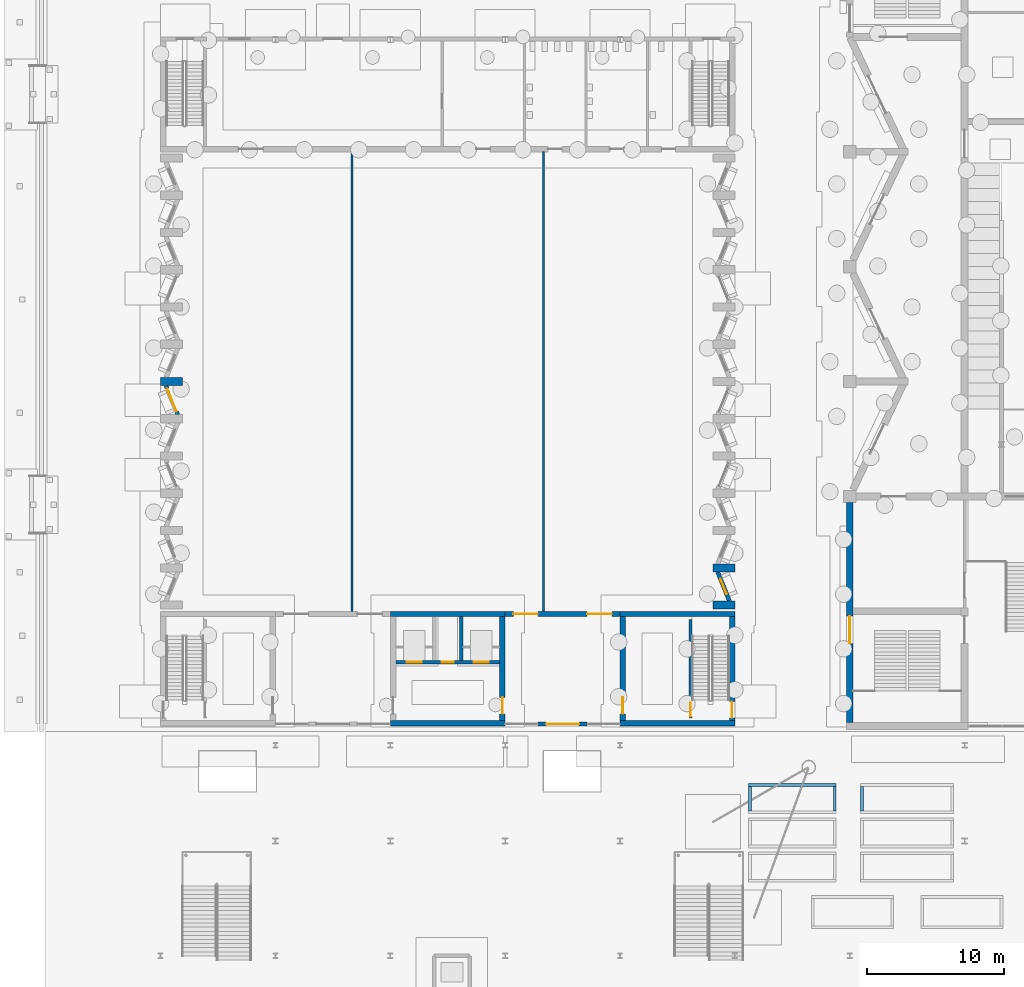
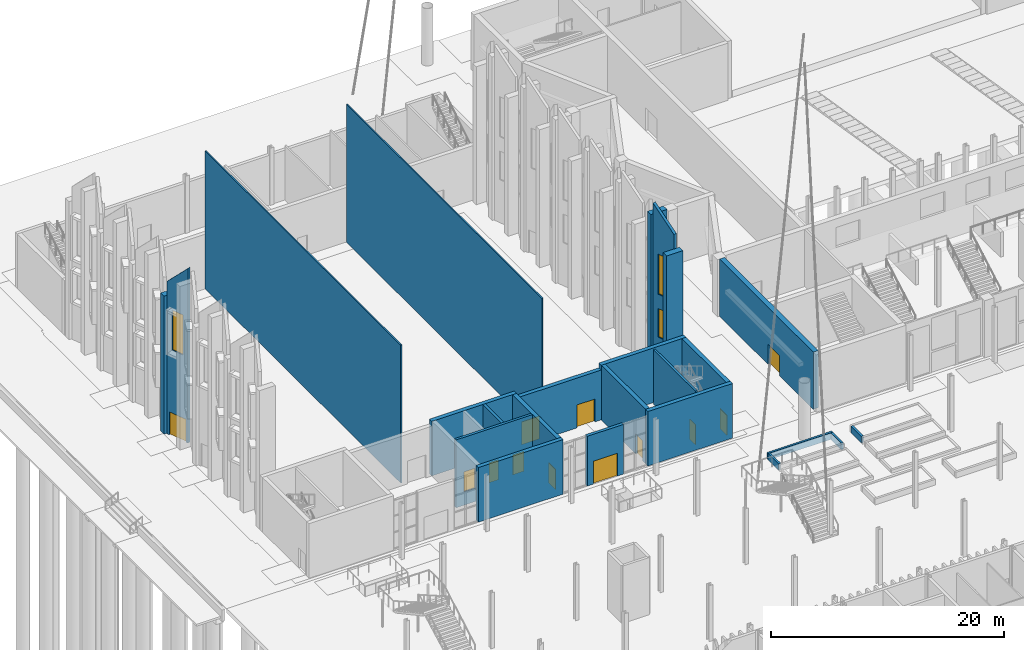
# One storey, part 62 of 108: 24 walls, 12 doors, 3 windows, 15 openings.
"""IFC4 building model written with IfcOpenShell, lengths in metres."""

from ifc_helpers import new_model, si_unit, direction, frame, frame_2d, origin, place, context, subcontext, project, spatial, polyline, rectangle, outline, extrude, material, layer, layer_set, type_object, element, fill, save


model = new_model("IFC4")

# Units and contexts
model_context = context("Model", 3, precision=1e-05, world=origin(), true_north=direction((0.0, 1.0)))
body_context = subcontext(model_context, "Body", "Model", "MODEL_VIEW")
ifc_project = project(units=[si_unit("LENGTHUNIT", "METRE"), si_unit("AREAUNIT", "SQUARE_METRE"), si_unit("VOLUMEUNIT", "CUBIC_METRE"), si_unit("PLANEANGLEUNIT", "RADIAN"), si_unit("MASSUNIT", "GRAM", prefix="KILO")], contexts=[model_context])

# Site, building, storey
site_placement = place(None, origin())
site = spatial("IfcSite", under=ifc_project, at=site_placement, CompositionType="ELEMENT")
building_placement = place(site_placement, origin())
building = spatial("IfcBuilding", under=site, at=building_placement, Name="Cresset Court Congress Hotel", CompositionType="ELEMENT")
storey_placement = place(building_placement, origin())
storey = spatial("IfcBuildingStorey", under=building, at=storey_placement, Name="L00", CompositionType="ELEMENT", Elevation=0.0)

# Wall, opening, door
ifc_material_1 = material(Name="Limestone-faced precast concrete C50", Category="masonry")
ifc_layer_1 = layer(ifc_material_1, 0.5)
ifc_layer_set_1 = layer_set([ifc_layer_1], Name="Hall perimeter wall 500")
wall_type_1 = type_object("IfcWallType", Name="Hall perimeter wall 500", PredefinedType="SOLIDWALL", material=ifc_layer_set_1)
wall_1_placement = place(storey_placement, frame((58.800048828125, 59.050048828125, 0.0), z_axis=(0.0, 0.0, 1.0), x_axis=(0.0, 1.0, 0.0)))
wall_1 = element("IfcWall", 1, at=wall_1_placement, inside=storey, type_object=wall_type_1, Name="Wall CW-WL00-5", PredefinedType="SOLIDWALL", context=body_context, shape_type="SweptSolid", body=[
    extrude(rectangle(XDim=16.099853515625, YDim=0.5, at=frame_2d((8.0498046875, 0.0))), origin(), (0.0, 0.0, 1.0), 6.0),
])
opening_1_placement = place(wall_1_placement, frame((5.800048828125, 0.0, 0.0)))
opening_1 = element("IfcOpeningElement", 2, at=opening_1_placement, cuts=wall_1, Name="Opening DC-00-10A", PredefinedType="OPENING", context=body_context, shape_type="SweptSolid", body=[
    extrude(rectangle(XDim=2.0, YDim=2.10009765625, at=frame_2d((1.0, 1.050048828125))), frame((0.0, 0.260009765625, 0.0), z_axis=(0.0, -1.0, 0.0), x_axis=(1.0, 0.0, 0.0)), (0.0, 0.0, 1.0), 0.52001953125),
])
ifc_material_2 = material(Name="Timber", Category="wood")
door_type_1 = type_object("IfcDoorType", Name="Double swing door 2000x2100 FD60 external", OperationType="DOUBLE_DOOR_DOUBLE_SWING", PredefinedType="DOOR", material=ifc_material_2)
door_1_placement = place(opening_1_placement, origin())
door_1 = element("IfcDoor", 3, at=door_1_placement, inside=storey, type_object=door_type_1, Name="Stair exit door ST-C1", OperationType="DOUBLE_DOOR_DOUBLE_SWING", OverallHeight=2.10009765625, OverallWidth=2.0, PredefinedType="DOOR", context=body_context, shape_type="SweptSolid", body=[
    extrude(rectangle(XDim=2.0, YDim=2.10009765625, at=frame_2d((1.0, 1.050048828125))), frame((0.0, 0.02490234375, 0.0), z_axis=(0.0, -1.0, 0.0), x_axis=(1.0, 0.0, 0.0)), (0.0, 0.0, 1.0), 0.050048828125),
])
fill(opening_1, door_1)

# Walls
ifc_material_3 = material(Name="Acoustic panels in aluminium frame", Category="aluminium")
ifc_layer_2 = layer(ifc_material_3, 0.1201171875)
ifc_layer_set_2 = layer_set([ifc_layer_2], Name="Operable partition 120")
wall_type_2 = type_object("IfcWallType", Name="Operable partition 120", PredefinedType="MOVABLE", material=ifc_layer_set_2)
for number, where, z_axis, x_axis, name in (
    (4, (22.39990234375, 67.199951171875, 0.0), (0.0, 0.0, 1.0), (0.0, 1.0, 0.0), "Operable partition 1"),
    (5, (36.39990234375, 67.199951171875, 0.0), (0.0, 0.0, 1.0), (0.0, 1.0, 0.0), "Operable partition 2"),
):
    element("IfcWall", number, at=place(storey_placement, frame(where, z_axis=z_axis, x_axis=x_axis)), inside=storey, type_object=wall_type_2, Name=name, PredefinedType="MOVABLE", context=body_context, shape_type="SweptSolid", body=[
        extrude(rectangle(XDim=33.60009765625, YDim=0.1201171875, at=frame_2d((16.800048828125, 0.0))), origin(), (0.0, 0.0, 1.0), 14.466796875),
    ])
ifc_material_4 = material(Name="Concrete C35", Category="concrete")
ifc_layer_3 = layer(ifc_material_4, 0.199951171875)
ifc_layer_set_3 = layer_set([ifc_layer_3], Name="Planter wall 200")
wall_type_3 = type_object("IfcWallType", Name="Planter wall 200", PredefinedType="SOLIDWALL", material=ifc_layer_set_3)
wall_2_placement = place(storey_placement, frame((51.39990234375, 54.5, 0.0), z_axis=(0.0, 0.0, 1.0), x_axis=(1.0, 0.0, 0.0)))
element("IfcWall", 6, at=wall_2_placement, inside=storey, type_object=wall_type_3, Name="Terrace planter wall 03", PredefinedType="SOLIDWALL", context=body_context, shape_type="SweptSolid", body=[
    extrude(rectangle(XDim=6.400146484375, YDim=0.199951171875, at=frame_2d((3.2001953125, 0.0))), origin(), (0.0, 0.0, 1.0), 0.699951171875),
])
for number, where, z_axis, x_axis, name in (
    (7, (51.5, 52.60009765625, 0.0), (0.0, 0.0, 1.0), (0.0, 1.0, 0.0), "Terrace planter wall 03"),
    (8, (57.699951171875, 52.60009765625, 0.0), (0.0, 0.0, 1.0), (0.0, 1.0, 0.0), "Terrace planter wall 03"),
    (9, (59.699951171875, 52.60009765625, 0.0), (0.0, 0.0, 1.0), (0.0, 1.0, 0.0), "Terrace planter wall 06"),
):
    element("IfcWall", number, at=place(storey_placement, frame(where, z_axis=z_axis, x_axis=x_axis)), inside=storey, type_object=wall_type_3, Name=name, PredefinedType="SOLIDWALL", context=body_context, shape_type="SweptSolid", body=[
        extrude(rectangle(XDim=1.7998046875, YDim=0.199951171875, at=frame_2d((0.89990234375, 0.0))), origin(), (0.0, 0.0, 1.0), 0.699951171875),
    ])

# Wall, opening, door
ifc_material_5 = material(Name="Precast concrete C50", Category="concrete")
ifc_layer_4 = layer(ifc_material_5, 0.300048828125)
ifc_layer_set_4 = layer_set([ifc_layer_4], Name="Precast external wall 300 C50")
wall_type_4 = type_object("IfcWallType", Name="Precast external wall 300 C50", PredefinedType="SOLIDWALL", material=ifc_layer_set_4)
wall_3_placement = place(storey_placement, frame((36.0, 58.949951171875, 0.0), z_axis=(0.0, 0.0, 1.0), x_axis=(1.0, 0.0, 0.0)))
wall_3 = element("IfcWall", 10, at=wall_3_placement, inside=storey, type_object=wall_type_4, Name="Foyer entrance wall L00 E", PredefinedType="SOLIDWALL", context=body_context, shape_type="SweptSolid", body=[
    extrude(rectangle(XDim=3.60009765625, YDim=0.300048828125, at=frame_2d((1.800048828125, 0.0))), origin(), (0.0, 0.0, 1.0), 5.219970703125),
])
opening_2_placement = place(wall_3_placement, frame((0.60009765625, 0.0, 0.0)))
opening_2 = element("IfcOpeningElement", 11, at=opening_2_placement, cuts=wall_3, Name="Opening DD-00-02", PredefinedType="OPENING", context=body_context, shape_type="SweptSolid", body=[
    extrude(rectangle(XDim=2.39990234375, YDim=2.39990234375, at=frame_2d((1.199951171875, 1.199951171875))), frame((0.0, 0.159912109375, 0.0), z_axis=(0.0, -1.0, 0.0), x_axis=(1.0, 0.0, 0.0)), (0.0, 0.0, 1.0), 0.320068359375),
])
ifc_material_6 = material(Name="Timber door leaf", Category="wood")
door_type_2 = type_object("IfcDoorType", Name="Entrance double door 2400x2400", OperationType="DOUBLE_DOOR_SINGLE_SWING", PredefinedType="DOOR", material=ifc_material_6)
door_2_placement = place(opening_2_placement, origin())
door_2 = element("IfcDoor", 12, at=door_2_placement, inside=storey, type_object=door_type_2, Name="Entrance double door DD-00-02", OperationType="DOUBLE_DOOR_SINGLE_SWING", OverallHeight=2.39990234375, OverallWidth=2.39990234375, PredefinedType="DOOR", context=body_context, shape_type="SweptSolid", body=[
    extrude(rectangle(XDim=2.39990234375, YDim=2.39990234375, at=frame_2d((1.199951171875, 1.199951171875))), frame((0.0, 0.02490234375, 0.0), z_axis=(0.0, -1.0, 0.0), x_axis=(1.0, 0.0, 0.0)), (0.0, 0.0, 1.0), 0.050048828125),
])
fill(opening_2, door_2)

# Wall, openings, door, window
ifc_material_7 = material(Name="Limestone-faced precast concrete C50", Category="masonry")
ifc_layer_5 = layer(ifc_material_7, 0.300048828125)
ifc_layer_set_5 = layer_set([ifc_layer_5], Name="Precast folded wall panel 300 C50")
wall_type_5 = type_object("IfcWallType", Name="Precast folded wall panel 300 C50", PredefinedType="SOLIDWALL", material=ifc_layer_set_5)
wall_4_placement = place(storey_placement, frame((9.65869140625, 81.574951171875, 0.0), z_axis=(0.0, 0.0, 1.0), x_axis=(-0.37463916886, 0.927170692567, 0.0)))
wall_4 = element("IfcWall", 13, at=wall_4_placement, inside=storey, type_object=wall_type_5, Name="Folded wall panel W6", PredefinedType="SOLIDWALL", context=body_context, shape_type="SweptSolid", body=[
    extrude(outline(polyline([(0.0, 0.0), (2.2919921875, 0.0), (2.2919921875, 15.972900390625), (0.0, 18.312255859375), (0.0, 0.0)])), frame((0.0, 0.14990234375, 0.0), z_axis=(0.0, -1.0, 0.0), x_axis=(1.0, 0.0, 0.0)), (0.0, 0.0, 1.0), 0.300048828125),
])
opening_3_placement = place(wall_4_placement, frame((0.24609375, 0.0, 0.0)))
opening_3 = element("IfcOpeningElement", 14, at=opening_3_placement, cuts=wall_4, Name="Opening DD-00-09", PredefinedType="OPENING", context=body_context, shape_type="SweptSolid", body=[
    extrude(rectangle(XDim=1.800048828125, YDim=2.39990234375, at=frame_2d((0.89990234375, 1.199951171875))), frame((0.0, 0.159912109375, 0.0), z_axis=(0.0, -1.0, 0.0), x_axis=(1.0, 0.0, 0.0)), (0.0, 0.0, 1.0), 0.320068359375),
])
opening_4_placement = place(wall_4_placement, frame((0.5458984375, 0.0, 9.0)))
opening_4 = element("IfcOpeningElement", 15, at=opening_4_placement, cuts=wall_4, Name="Opening ND-00-11", PredefinedType="OPENING", context=body_context, shape_type="SweptSolid", body=[
    extrude(rectangle(XDim=1.199951171875, YDim=4.199951171875, at=frame_2d((0.60009765625, 2.10009765625))), frame((0.0, 0.159912109375, 0.0), z_axis=(0.0, -1.0, 0.0), x_axis=(1.0, 0.0, 0.0)), (0.0, 0.0, 1.0), 0.320068359375),
])
ifc_material_8 = material(Name="Timber door leaf", Category="wood")
door_type_3 = type_object("IfcDoorType", Name="Hall exit double door 1800x2400", OperationType="DOUBLE_DOOR_SINGLE_SWING", PredefinedType="DOOR", material=ifc_material_8)
door_3_placement = place(opening_3_placement, origin())
door_3 = element("IfcDoor", 16, at=door_3_placement, inside=storey, type_object=door_type_3, Name="Hall exit double door DD-00-09", OperationType="DOUBLE_DOOR_SINGLE_SWING", OverallHeight=2.39990234375, OverallWidth=1.800048828125, PredefinedType="DOOR", context=body_context, shape_type="SweptSolid", body=[
    extrude(rectangle(XDim=1.800048828125, YDim=2.39990234375, at=frame_2d((0.89990234375, 1.199951171875))), frame((0.0, 0.02490234375, 0.0), z_axis=(0.0, -1.0, 0.0), x_axis=(1.0, 0.0, 0.0)), (0.0, 0.0, 1.0), 0.050048828125),
])
fill(opening_3, door_3)
ifc_material_9 = material(Name="Aluminium frame with double glazing", Category="aluminium")
window_type_1 = type_object("IfcWindowType", Name="Window 1200x4200", PartitioningType="TRIPLE_PANEL_VERTICAL", PredefinedType="WINDOW", material=ifc_material_9)
window_1_placement = place(opening_4_placement, origin())
window_1 = element("IfcWindow", 17, at=window_1_placement, inside=storey, type_object=window_type_1, Name="Window ND-00-11", OverallHeight=4.199951171875, OverallWidth=1.199951171875, PartitioningType="TRIPLE_PANEL_VERTICAL", PredefinedType="WINDOW", context=body_context, shape_type="SweptSolid", body=[
    extrude(rectangle(XDim=1.199951171875, YDim=4.199951171875, at=frame_2d((0.60009765625, 2.10009765625))), frame((0.0, 0.030029296875, 0.0), z_axis=(0.0, -1.0, 0.0), x_axis=(1.0, 0.0, 0.0)), (0.0, 0.0, 1.0), 0.06005859375),
])
fill(opening_4, window_1)

# Wall, openings, windows
wall_5_placement = place(storey_placement, frame((50.0, 67.949951171875, 0.0), z_axis=(0.0, 0.0, 1.0), x_axis=(-0.37463916886, 0.927170692567, 0.0)))
wall_5 = element("IfcWall", 18, at=wall_5_placement, inside=storey, type_object=wall_type_5, Name="Folded wall panel E1", PredefinedType="SOLIDWALL", context=body_context, shape_type="SweptSolid", body=[
    extrude(outline(polyline([(0.0, 0.0), (2.2919921875, 0.0), (2.2919921875, 18.312255859375), (0.0, 15.972900390625), (0.0, 0.0)])), frame((0.0, 0.14990234375, 0.0), z_axis=(0.0, -1.0, 0.0), x_axis=(1.0, 0.0, 0.0)), (0.0, 0.0, 1.0), 0.300048828125),
])
opening_5_placement = place(wall_5_placement, frame((0.5458984375, 0.0, 4.5)))
opening_5 = element("IfcOpeningElement", 19, at=opening_5_placement, cuts=wall_5, Name="Opening ND-00-23", PredefinedType="OPENING", context=body_context, shape_type="SweptSolid", body=[
    extrude(rectangle(XDim=1.199951171875, YDim=3.0, at=frame_2d((0.60009765625, 1.5))), frame((0.0, 0.159912109375, 0.0), z_axis=(0.0, -1.0, 0.0), x_axis=(1.0, 0.0, 0.0)), (0.0, 0.0, 1.0), 0.320068359375),
])
opening_6_placement = place(wall_5_placement, frame((0.5458984375, 0.0, 9.0)))
opening_6 = element("IfcOpeningElement", 20, at=opening_6_placement, cuts=wall_5, Name="Opening ND-00-24", PredefinedType="OPENING", context=body_context, shape_type="SweptSolid", body=[
    extrude(rectangle(XDim=1.199951171875, YDim=4.199951171875, at=frame_2d((0.60009765625, 2.10009765625))), frame((0.0, 0.159912109375, 0.0), z_axis=(0.0, -1.0, 0.0), x_axis=(1.0, 0.0, 0.0)), (0.0, 0.0, 1.0), 0.320068359375),
])
ifc_material_10 = material(Name="Aluminium frame with double glazing", Category="aluminium")
window_type_2 = type_object("IfcWindowType", Name="Window 1200x3000", PartitioningType="TRIPLE_PANEL_VERTICAL", PredefinedType="WINDOW", material=ifc_material_10)
window_2_placement = place(opening_5_placement, origin())
window_2 = element("IfcWindow", 21, at=window_2_placement, inside=storey, type_object=window_type_2, Name="Window ND-00-23", OverallHeight=3.0, OverallWidth=1.199951171875, PartitioningType="TRIPLE_PANEL_VERTICAL", PredefinedType="WINDOW", context=body_context, shape_type="SweptSolid", body=[
    extrude(rectangle(XDim=1.199951171875, YDim=3.0, at=frame_2d((0.60009765625, 1.5))), frame((0.0, 0.030029296875, 0.0), z_axis=(0.0, -1.0, 0.0), x_axis=(1.0, 0.0, 0.0)), (0.0, 0.0, 1.0), 0.06005859375),
])
fill(opening_5, window_2)
window_3_placement = place(opening_6_placement, origin())
window_3 = element("IfcWindow", 22, at=window_3_placement, inside=storey, type_object=window_type_1, Name="Window ND-00-24", OverallHeight=4.199951171875, OverallWidth=1.199951171875, PartitioningType="TRIPLE_PANEL_VERTICAL", PredefinedType="WINDOW", context=body_context, shape_type="SweptSolid", body=[
    extrude(rectangle(XDim=1.199951171875, YDim=4.199951171875, at=frame_2d((0.60009765625, 2.10009765625))), frame((0.0, 0.030029296875, 0.0), z_axis=(0.0, -1.0, 0.0), x_axis=(1.0, 0.0, 0.0)), (0.0, 0.0, 1.0), 0.06005859375),
])
fill(opening_6, window_3)

# Walls
ifc_material_11 = material(Name="Concrete C40", Category="concrete")
ifc_layer_6 = layer(ifc_material_11, 0.60009765625)
ifc_layer_set_6 = layer_set([ifc_layer_6], Name="RC buttress wall 600 C40")
wall_type_6 = type_object("IfcWallType", Name="RC buttress wall 600 C40", PredefinedType="SOLIDWALL", material=ifc_layer_set_6)
wall_6_placement = place(storey_placement, frame((8.39990234375, 84.0, 0.0), z_axis=(0.0, 0.0, 1.0), x_axis=(1.0, 0.0, 0.0)))
element("IfcWall", 23, at=wall_6_placement, inside=storey, type_object=wall_type_6, Name="Buttress W7", PredefinedType="SOLIDWALL", context=body_context, shape_type="SweptSolid", body=[
    extrude(rectangle(XDim=1.60009765625, YDim=0.60009765625, at=frame_2d((0.800048828125, 0.0))), origin(), (0.0, 0.0, 1.0), 14.466796875),
])
wall_7_placement = place(storey_placement, frame((50.39990234375, 67.64990234375, 0.0), z_axis=(0.0, 0.0, 1.0), x_axis=(-1.0, 0.0, 0.0)))
element("IfcWall", 24, at=wall_7_placement, inside=storey, type_object=wall_type_6, Name="Buttress E1", PredefinedType="SOLIDWALL", context=body_context, shape_type="SweptSolid", body=[
    extrude(rectangle(XDim=1.599853515625, YDim=0.60009765625, at=frame_2d((0.7998046875, 0.0))), origin(), (0.0, 0.0, 1.0), 14.466796875),
])
wall_8_placement = place(storey_placement, frame((50.39990234375, 70.375, 0.0), z_axis=(0.0, 0.0, 1.0), x_axis=(-1.0, 0.0, 0.0)))
element("IfcWall", 25, at=wall_8_placement, inside=storey, type_object=wall_type_6, Name="Buttress E2", PredefinedType="SOLIDWALL", context=body_context, shape_type="SweptSolid", body=[
    extrude(rectangle(XDim=1.599853515625, YDim=0.60009765625, at=frame_2d((0.7998046875, 0.0))), origin(), (0.0, 0.0, 1.0), 17.136474609375),
])
ifc_material_12 = material(Name="Concrete C50", Category="concrete")
ifc_layer_7 = layer(ifc_material_12, 0.39990234375)
ifc_layer_set_7 = layer_set([ifc_layer_7], Name="RC core wall 400 C50")
wall_type_7 = type_object("IfcWallType", Name="RC core wall 400 C50", PredefinedType="SOLIDWALL", material=ifc_layer_set_7)
for number, where, z_axis, x_axis, name in (
    (26, (25.199951171875, 59.0, 0.0), (0.0, 0.0, 1.0), (1.0, 0.0, 0.0), "LC-D1 south wall"),
    (27, (25.199951171875, 67.0, 0.0), (0.0, 0.0, 1.0), (1.0, 0.0, 0.0), "LC-D1 north wall"),
):
    element("IfcWall", number, at=place(storey_placement, frame(where, z_axis=z_axis, x_axis=x_axis)), inside=storey, type_object=wall_type_7, Name=name, PredefinedType="SOLIDWALL", context=body_context, shape_type="SweptSolid", body=[
        extrude(rectangle(XDim=8.400146484375, YDim=0.39990234375, at=frame_2d((4.2001953125, 0.0))), origin(), (0.0, 0.0, 1.0), 5.719970703125),
    ])

# Wall, opening, door
wall_9_placement = place(storey_placement, frame((33.39990234375, 59.199951171875, 0.0), z_axis=(0.0, 0.0, 1.0), x_axis=(0.0, 1.0, 0.0)))
wall_9 = element("IfcWall", 28, at=wall_9_placement, inside=storey, type_object=wall_type_7, Name="LC-D1 east wall", PredefinedType="SOLIDWALL", context=body_context, shape_type="SweptSolid", body=[
    extrude(rectangle(XDim=7.60009765625, YDim=0.39990234375, at=frame_2d((3.800048828125, 0.0))), origin(), (0.0, 0.0, 1.0), 5.719970703125),
])
opening_7_placement = place(wall_9_placement, frame((0.5, 0.0, 0.0)))
opening_7 = element("IfcOpeningElement", 29, at=opening_7_placement, cuts=wall_9, Name="Opening DD-00-19", PredefinedType="OPENING", context=body_context, shape_type="SweptSolid", body=[
    extrude(rectangle(XDim=1.199951171875, YDim=2.10009765625, at=frame_2d((0.60009765625, 1.050048828125))), frame((0.0, 0.2099609375, 0.0), z_axis=(0.0, -1.0, 0.0), x_axis=(1.0, 0.0, 0.0)), (0.0, 0.0, 1.0), 0.419921875),
])
ifc_material_13 = material(Name="Timber door leaf", Category="wood")
door_type_4 = type_object("IfcDoorType", Name="Lift lobby door 1200x2100", OperationType="SINGLE_SWING_LEFT", PredefinedType="DOOR", material=ifc_material_13)
door_4_placement = place(opening_7_placement, origin())
door_4 = element("IfcDoor", 30, at=door_4_placement, inside=storey, type_object=door_type_4, Name="Lift lobby door DD-00-19", OperationType="SINGLE_SWING_LEFT", OverallHeight=2.10009765625, OverallWidth=1.199951171875, PredefinedType="DOOR", context=body_context, shape_type="SweptSolid", body=[
    extrude(rectangle(XDim=1.199951171875, YDim=2.10009765625, at=frame_2d((0.60009765625, 1.050048828125))), frame((0.0, 0.02490234375, 0.0), z_axis=(0.0, -1.0, 0.0), x_axis=(1.0, 0.0, 0.0)), (0.0, 0.0, 1.0), 0.050048828125),
])
fill(opening_7, door_4)

# Walls
for number, where, z_axis, x_axis, name in (
    (31, (42.0, 59.0, 0.0), (0.0, 0.0, 1.0), (1.0, 0.0, 0.0), "ST-D2 south wall"),
    (32, (42.0, 67.0, 0.0), (0.0, 0.0, 1.0), (1.0, 0.0, 0.0), "ST-D2 north wall"),
):
    element("IfcWall", number, at=place(storey_placement, frame(where, z_axis=z_axis, x_axis=x_axis)), inside=storey, type_object=wall_type_7, Name=name, PredefinedType="SOLIDWALL", context=body_context, shape_type="SweptSolid", body=[
        extrude(rectangle(XDim=8.39990234375, YDim=0.39990234375, at=frame_2d((4.199951171875, 0.0))), origin(), (0.0, 0.0, 1.0), 5.719970703125),
    ])

# Wall, opening, door
wall_10_placement = place(storey_placement, frame((42.199951171875, 59.199951171875, 0.0), z_axis=(0.0, 0.0, 1.0), x_axis=(0.0, 1.0, 0.0)))
wall_10 = element("IfcWall", 33, at=wall_10_placement, inside=storey, type_object=wall_type_7, Name="ST-D2 west wall", PredefinedType="SOLIDWALL", context=body_context, shape_type="SweptSolid", body=[
    extrude(rectangle(XDim=7.60009765625, YDim=0.39990234375, at=frame_2d((3.800048828125, 0.0))), origin(), (0.0, 0.0, 1.0), 5.719970703125),
])
opening_8_placement = place(wall_10_placement, frame((0.5, 0.0, 0.0)))
opening_8 = element("IfcOpeningElement", 34, at=opening_8_placement, cuts=wall_10, Name="Opening DD-00-16", PredefinedType="OPENING", context=body_context, shape_type="SweptSolid", body=[
    extrude(rectangle(XDim=1.199951171875, YDim=2.10009765625, at=frame_2d((0.60009765625, 1.050048828125))), frame((0.0, 0.2099609375, 0.0), z_axis=(0.0, -1.0, 0.0), x_axis=(1.0, 0.0, 0.0)), (0.0, 0.0, 1.0), 0.419921875),
])
ifc_material_14 = material(Name="Timber door leaf", Category="wood")
door_type_5 = type_object("IfcDoorType", Name="Stair lobby door 1200x2100", OperationType="SINGLE_SWING_LEFT", PredefinedType="DOOR", material=ifc_material_14)
door_5_placement = place(opening_8_placement, origin())
door_5 = element("IfcDoor", 35, at=door_5_placement, inside=storey, type_object=door_type_5, Name="Stair lobby door DD-00-16", OperationType="SINGLE_SWING_LEFT", OverallHeight=2.10009765625, OverallWidth=1.199951171875, PredefinedType="DOOR", context=body_context, shape_type="SweptSolid", body=[
    extrude(rectangle(XDim=1.199951171875, YDim=2.10009765625, at=frame_2d((0.60009765625, 1.050048828125))), frame((0.0, 0.02490234375, 0.0), z_axis=(0.0, -1.0, 0.0), x_axis=(1.0, 0.0, 0.0)), (0.0, 0.0, 1.0), 0.050048828125),
])
fill(opening_8, door_5)

wall_11_placement = place(storey_placement, frame((50.199951171875, 66.800048828125, 0.0), z_axis=(0.0, 0.0, 1.0), x_axis=(0.0, -1.0, 0.0)))
wall_11 = element("IfcWall", 36, at=wall_11_placement, inside=storey, type_object=wall_type_7, Name="ST-D2 east wall", PredefinedType="SOLIDWALL", context=body_context, shape_type="SweptSolid", body=[
    extrude(rectangle(XDim=7.60009765625, YDim=0.39990234375, at=frame_2d((3.800048828125, 0.0))), origin(), (0.0, 0.0, 1.0), 5.719970703125),
])
opening_9_placement = place(wall_11_placement, frame((6.199951171875, 0.0, 0.0)))
opening_9 = element("IfcOpeningElement", 37, at=opening_9_placement, cuts=wall_11, Name="Opening DD-00-07", PredefinedType="OPENING", context=body_context, shape_type="SweptSolid", body=[
    extrude(rectangle(XDim=1.199951171875, YDim=2.10009765625, at=frame_2d((0.60009765625, 1.050048828125))), frame((0.0, 0.2099609375, 0.0), z_axis=(0.0, -1.0, 0.0), x_axis=(1.0, 0.0, 0.0)), (0.0, 0.0, 1.0), 0.419921875),
])
ifc_material_15 = material(Name="Timber door leaf", Category="wood")
door_type_6 = type_object("IfcDoorType", Name="Exit door 1200x2100", OperationType="SINGLE_SWING_LEFT", PredefinedType="DOOR", material=ifc_material_15)
door_6_placement = place(opening_9_placement, origin())
door_6 = element("IfcDoor", 38, at=door_6_placement, inside=storey, type_object=door_type_6, Name="Exit door DD-00-07", OperationType="SINGLE_SWING_LEFT", OverallHeight=2.10009765625, OverallWidth=1.199951171875, PredefinedType="DOOR", context=body_context, shape_type="SweptSolid", body=[
    extrude(rectangle(XDim=1.199951171875, YDim=2.10009765625, at=frame_2d((0.60009765625, 1.050048828125))), frame((0.0, 0.02490234375, 0.0), z_axis=(0.0, -1.0, 0.0), x_axis=(1.0, 0.0, 0.0)), (0.0, 0.0, 1.0), 0.050048828125),
])
fill(opening_9, door_6)

# Wall, openings, doors
ifc_material_16 = material(Name="Concrete C40", Category="concrete")
ifc_layer_8 = layer(ifc_material_16, 0.39990234375)
ifc_layer_set_8 = layer_set([ifc_layer_8], Name="RC hall wall 400 C40")
wall_type_8 = type_object("IfcWallType", Name="RC hall wall 400 C40", PredefinedType="SOLIDWALL", material=ifc_layer_set_8)
wall_12_placement = place(storey_placement, frame((33.60009765625, 67.0, 0.0), z_axis=(0.0, 0.0, 1.0), x_axis=(1.0, 0.0, 0.0)))
wall_12 = element("IfcWall", 39, at=wall_12_placement, inside=storey, type_object=wall_type_8, Name="Hall south wall L00 E", PredefinedType="SOLIDWALL", context=body_context, shape_type="SweptSolid", body=[
    extrude(rectangle(XDim=8.39990234375, YDim=0.39990234375, at=frame_2d((4.199951171875, 0.0))), origin(), (0.0, 0.0, 1.0), 5.219970703125),
])
opening_10_placement = place(wall_12_placement, frame((0.60009765625, 0.0, 0.0)))
opening_10 = element("IfcOpeningElement", 40, at=opening_10_placement, cuts=wall_12, Name="Opening DD-00-25A", PredefinedType="OPENING", context=body_context, shape_type="SweptSolid", body=[
    extrude(rectangle(XDim=1.800048828125, YDim=2.39990234375, at=frame_2d((0.89990234375, 1.199951171875))), frame((0.0, 0.2099609375, 0.0), z_axis=(0.0, -1.0, 0.0), x_axis=(1.0, 0.0, 0.0)), (0.0, 0.0, 1.0), 0.419921875),
])
opening_11_placement = place(wall_12_placement, frame((6.0, 0.0, 0.0)))
opening_11 = element("IfcOpeningElement", 41, at=opening_11_placement, cuts=wall_12, Name="Opening DD-00-26A", PredefinedType="OPENING", context=body_context, shape_type="SweptSolid", body=[
    extrude(rectangle(XDim=1.800048828125, YDim=2.39990234375, at=frame_2d((0.89990234375, 1.199951171875))), frame((0.0, 0.2099609375, 0.0), z_axis=(0.0, -1.0, 0.0), x_axis=(1.0, 0.0, 0.0)), (0.0, 0.0, 1.0), 0.419921875),
])
ifc_material_17 = material(Name="Timber door leaf", Category="wood")
door_type_7 = type_object("IfcDoorType", Name="Hall exit double door 1800x2400 internal", OperationType="DOUBLE_DOOR_SINGLE_SWING", PredefinedType="DOOR", material=ifc_material_17)
door_7_placement = place(opening_10_placement, origin())
door_7 = element("IfcDoor", 42, at=door_7_placement, inside=storey, type_object=door_type_7, Name="Hall exit double door DD-00-25", OperationType="DOUBLE_DOOR_SINGLE_SWING", OverallHeight=2.39990234375, OverallWidth=1.800048828125, PredefinedType="DOOR", context=body_context, shape_type="SweptSolid", body=[
    extrude(rectangle(XDim=1.800048828125, YDim=2.39990234375, at=frame_2d((0.89990234375, 1.199951171875))), frame((0.0, 0.02490234375, 0.0), z_axis=(0.0, -1.0, 0.0), x_axis=(1.0, 0.0, 0.0)), (0.0, 0.0, 1.0), 0.050048828125),
])
fill(opening_10, door_7)
door_8_placement = place(opening_11_placement, origin())
door_8 = element("IfcDoor", 43, at=door_8_placement, inside=storey, type_object=door_type_7, Name="Hall exit double door DD-00-26", OperationType="DOUBLE_DOOR_SINGLE_SWING", OverallHeight=2.39990234375, OverallWidth=1.800048828125, PredefinedType="DOOR", context=body_context, shape_type="SweptSolid", body=[
    extrude(rectangle(XDim=1.800048828125, YDim=2.39990234375, at=frame_2d((0.89990234375, 1.199951171875))), frame((0.0, 0.02490234375, 0.0), z_axis=(0.0, -1.0, 0.0), x_axis=(1.0, 0.0, 0.0)), (0.0, 0.0, 1.0), 0.050048828125),
])
fill(opening_11, door_8)

ifc_material_18 = material(Name="Concrete C50", Category="concrete")
ifc_layer_9 = layer(ifc_material_18, 0.25)
ifc_layer_set_9 = layer_set([ifc_layer_9], Name="RC lift shaft wall 250 C50")
wall_type_9 = type_object("IfcWallType", Name="RC lift shaft wall 250 C50", PredefinedType="SOLIDWALL", material=ifc_layer_set_9)
wall_13_placement = place(storey_placement, frame((25.60009765625, 63.47509765625, -1.39990234375), z_axis=(0.0, 0.0, 1.0), x_axis=(1.0, 0.0, 0.0)))
wall_13 = element("IfcWall", 44, at=wall_13_placement, inside=storey, type_object=wall_type_9, Name="Lift shaft front wall", PredefinedType="SOLIDWALL", context=body_context, shape_type="SweptSolid", body=[
    extrude(rectangle(XDim=7.599853515625, YDim=0.25, at=frame_2d((3.7998046875, 0.0))), origin(), (0.0, 0.0, 1.0), 7.119873046875),
])
opening_12_placement = place(wall_13_placement, frame((0.800048828125, 0.0, 1.39990234375)))
opening_12 = element("IfcOpeningElement", 45, at=opening_12_placement, cuts=wall_13, Name="Opening DD-00-20", PredefinedType="OPENING", context=body_context, shape_type="SweptSolid", body=[
    extrude(rectangle(XDim=1.10009765625, YDim=2.10009765625, at=frame_2d((0.550048828125, 1.050048828125))), frame((0.0, 0.135009765625, 0.0), z_axis=(0.0, -1.0, 0.0), x_axis=(1.0, 0.0, 0.0)), (0.0, 0.0, 1.0), 0.27001953125),
])
opening_13_placement = place(wall_13_placement, frame((5.699951171875, 0.0, 1.39990234375)))
opening_13 = element("IfcOpeningElement", 46, at=opening_13_placement, cuts=wall_13, Name="Opening DD-00-21", PredefinedType="OPENING", context=body_context, shape_type="SweptSolid", body=[
    extrude(rectangle(XDim=1.10009765625, YDim=2.10009765625, at=frame_2d((0.550048828125, 1.050048828125))), frame((0.0, 0.135009765625, 0.0), z_axis=(0.0, -1.0, 0.0), x_axis=(1.0, 0.0, 0.0)), (0.0, 0.0, 1.0), 0.27001953125),
])
opening_14_placement = place(wall_13_placement, frame((3.35009765625, 0.0, 1.39990234375)))
opening_14 = element("IfcOpeningElement", 47, at=opening_14_placement, cuts=wall_13, Name="Opening DD-00-22", PredefinedType="OPENING", context=body_context, shape_type="SweptSolid", body=[
    extrude(rectangle(XDim=0.89990234375, YDim=2.10009765625, at=frame_2d((0.449951171875, 1.050048828125))), frame((0.0, 0.135009765625, 0.0), z_axis=(0.0, -1.0, 0.0), x_axis=(1.0, 0.0, 0.0)), (0.0, 0.0, 1.0), 0.27001953125),
])
ifc_material_19 = material(Name="Stainless steel", Category="steel")
door_type_8 = type_object("IfcDoorType", Name="Lift landing door 1100x2100", OperationType="DOUBLE_DOOR_SLIDING", PredefinedType="DOOR", material=ifc_material_19)
door_9_placement = place(opening_12_placement, origin())
door_9 = element("IfcDoor", 48, at=door_9_placement, inside=storey, type_object=door_type_8, Name="Lift landing door DD-00-20", OperationType="DOUBLE_DOOR_SLIDING", OverallHeight=2.10009765625, OverallWidth=1.10009765625, PredefinedType="DOOR", context=body_context, shape_type="SweptSolid", body=[
    extrude(rectangle(XDim=1.10009765625, YDim=2.10009765625, at=frame_2d((0.550048828125, 1.050048828125))), frame((0.0, 0.02490234375, 0.0), z_axis=(0.0, -1.0, 0.0), x_axis=(1.0, 0.0, 0.0)), (0.0, 0.0, 1.0), 0.050048828125),
])
fill(opening_12, door_9)
door_10_placement = place(opening_13_placement, origin())
door_10 = element("IfcDoor", 49, at=door_10_placement, inside=storey, type_object=door_type_8, Name="Lift landing door DD-00-21", OperationType="DOUBLE_DOOR_SLIDING", OverallHeight=2.10009765625, OverallWidth=1.10009765625, PredefinedType="DOOR", context=body_context, shape_type="SweptSolid", body=[
    extrude(rectangle(XDim=1.10009765625, YDim=2.10009765625, at=frame_2d((0.550048828125, 1.050048828125))), frame((0.0, 0.02490234375, 0.0), z_axis=(0.0, -1.0, 0.0), x_axis=(1.0, 0.0, 0.0)), (0.0, 0.0, 1.0), 0.050048828125),
])
fill(opening_13, door_10)
ifc_material_20 = material(Name="Timber door leaf", Category="wood")
door_type_9 = type_object("IfcDoorType", Name="Riser door 900x2100", OperationType="SINGLE_SWING_LEFT", PredefinedType="DOOR", material=ifc_material_20)
door_11_placement = place(opening_14_placement, origin())
door_11 = element("IfcDoor", 50, at=door_11_placement, inside=storey, type_object=door_type_9, Name="Riser door DD-00-22", OperationType="SINGLE_SWING_LEFT", OverallHeight=2.10009765625, OverallWidth=0.89990234375, PredefinedType="DOOR", context=body_context, shape_type="SweptSolid", body=[
    extrude(rectangle(XDim=0.89990234375, YDim=2.10009765625, at=frame_2d((0.449951171875, 1.050048828125))), frame((0.0, 0.02490234375, 0.0), z_axis=(0.0, -1.0, 0.0), x_axis=(1.0, 0.0, 0.0)), (0.0, 0.0, 1.0), 0.050048828125),
])
fill(opening_14, door_11)

# Wall
wall_14_placement = place(storey_placement, frame((30.375, 63.60009765625, -1.39990234375), z_axis=(0.0, 0.0, 1.0), x_axis=(0.0, 1.0, 0.0)))
element("IfcWall", 51, at=wall_14_placement, inside=storey, type_object=wall_type_9, Name="Lift shaft wall B", PredefinedType="SOLIDWALL", context=body_context, shape_type="SweptSolid", body=[
    extrude(rectangle(XDim=3.199951171875, YDim=0.25, at=frame_2d((1.60009765625, 0.0))), origin(), (0.0, 0.0, 1.0), 7.119873046875),
])

# Wall, opening, door
ifc_material_21 = material(Name="Concrete C40", Category="concrete")
ifc_layer_10 = layer(ifc_material_21, 0.199951171875)
ifc_layer_set_10 = layer_set([ifc_layer_10], Name="RC stair enclosure wall 200 C40")
wall_type_10 = type_object("IfcWallType", Name="RC stair enclosure wall 200 C40", PredefinedType="SOLIDWALL", material=ifc_layer_set_10)
wall_15_placement = place(storey_placement, frame((47.14990234375, 59.39990234375, 0.0), z_axis=(0.0, 0.0, 1.0), x_axis=(0.0, 1.0, 0.0)))
wall_15 = element("IfcWall", 52, at=wall_15_placement, inside=storey, type_object=wall_type_10, Name="ST-D2 stair enclosure wall", PredefinedType="SOLIDWALL", context=body_context, shape_type="SweptSolid", body=[
    extrude(rectangle(XDim=7.2001953125, YDim=0.199951171875, at=frame_2d((3.60009765625, 0.0))), origin(), (0.0, 0.0, 1.0), 5.719970703125),
])
opening_15_placement = place(wall_15_placement, frame((0.10009765625, 0.0, 0.0)))
opening_15 = element("IfcOpeningElement", 53, at=opening_15_placement, cuts=wall_15, Name="Opening DD-00-17", PredefinedType="OPENING", context=body_context, shape_type="SweptSolid", body=[
    extrude(rectangle(XDim=1.0, YDim=2.10009765625, at=frame_2d((0.5, 1.050048828125))), frame((0.0, 0.10986328125, 0.0), z_axis=(0.0, -1.0, 0.0), x_axis=(1.0, 0.0, 0.0)), (0.0, 0.0, 1.0), 0.219970703125),
])
ifc_material_22 = material(Name="Timber door leaf", Category="wood")
door_type_10 = type_object("IfcDoorType", Name="Stair door 1000x2100", OperationType="SINGLE_SWING_LEFT", PredefinedType="DOOR", material=ifc_material_22)
door_12_placement = place(opening_15_placement, origin())
door_12 = element("IfcDoor", 54, at=door_12_placement, inside=storey, type_object=door_type_10, Name="Stair door DD-00-17", OperationType="SINGLE_SWING_LEFT", OverallHeight=2.10009765625, OverallWidth=1.0, PredefinedType="DOOR", context=body_context, shape_type="SweptSolid", body=[
    extrude(rectangle(XDim=1.0, YDim=2.10009765625, at=frame_2d((0.5, 1.050048828125))), frame((0.0, 0.02490234375, 0.0), z_axis=(0.0, -1.0, 0.0), x_axis=(1.0, 0.0, 0.0)), (0.0, 0.0, 1.0), 0.050048828125),
])
fill(opening_15, door_12)

save(model, "model.ifc")
